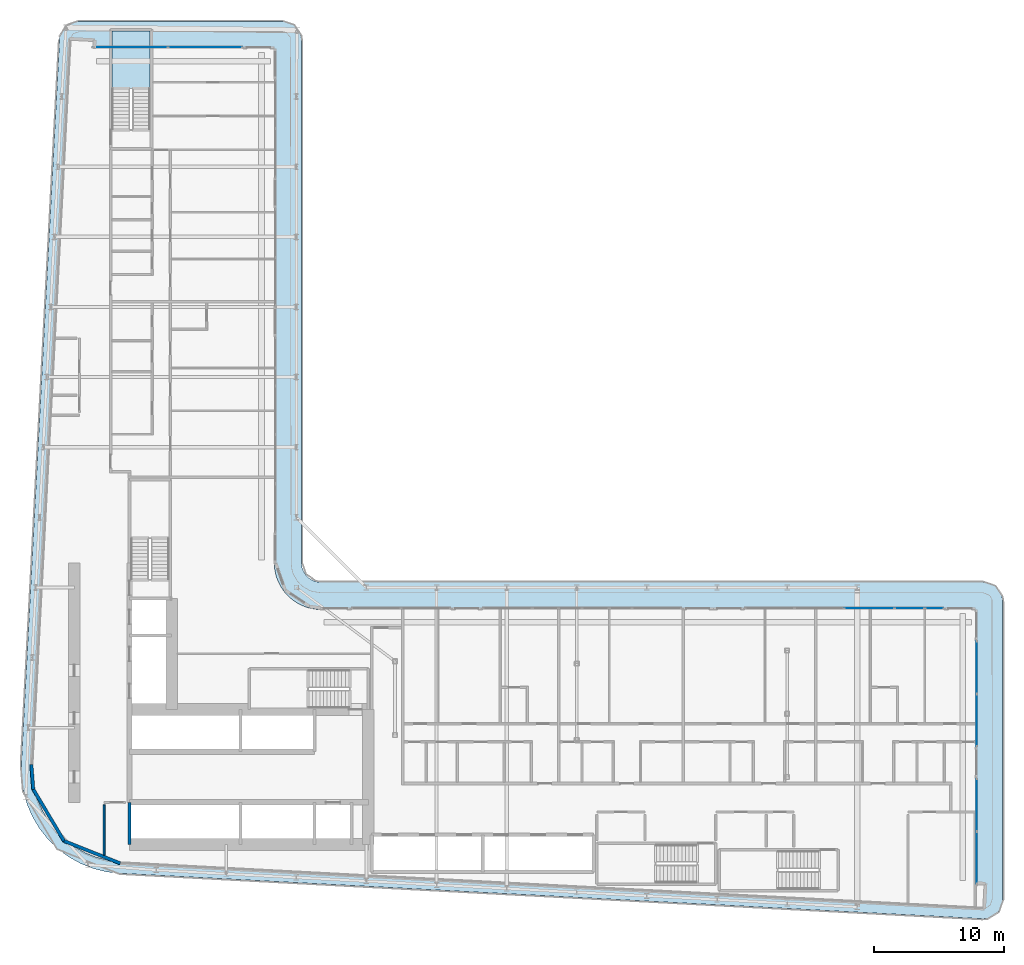
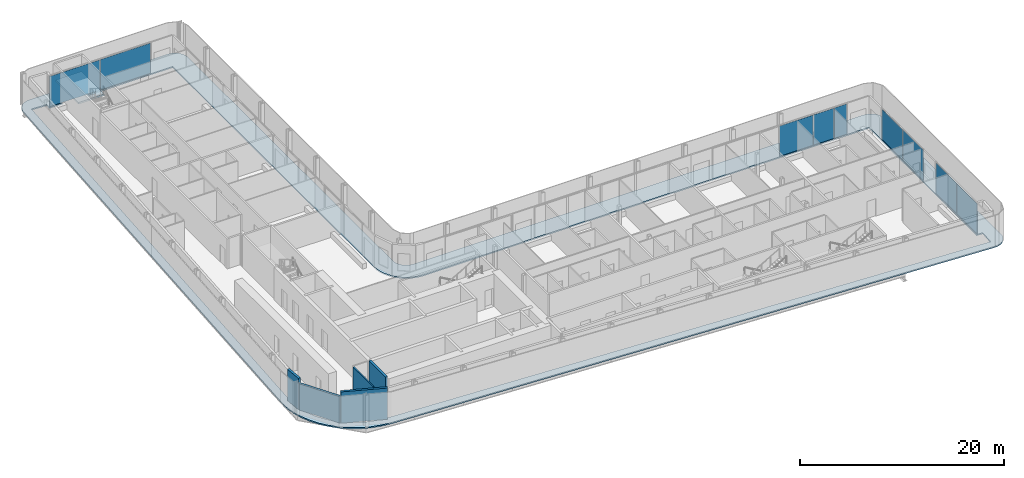
# One storey, part 12 of 27: 9 plates, 5 walls, 2 slabs, 5 elements without a shape of their own.
"""IFC4 building model written with IfcOpenShell, lengths in metres."""

from ifc_helpers import new_model, si_unit, direction, frame, frame_2d, origin, origin_2d, place, context, subcontext, project, spatial, polyline, rectangle, outline, extrude, material, layer, layer_set, type_object, element, aggregate, save


model = new_model("IFC4")

# Units and contexts
model_context = context("Model", 3, precision=1e-05, world=origin(), true_north=direction((0.0, 1.0)))
body_context = subcontext(model_context, "Body", "Model", "MODEL_VIEW")
ifc_project = project(units=[si_unit("LENGTHUNIT", "METRE"), si_unit("AREAUNIT", "SQUARE_METRE"), si_unit("VOLUMEUNIT", "CUBIC_METRE"), si_unit("PLANEANGLEUNIT", "RADIAN"), si_unit("MASSUNIT", "GRAM", prefix="KILO")], contexts=[model_context])

# Site, building, storey
site_placement = place(None, origin())
site = spatial("IfcSite", under=ifc_project, at=site_placement, CompositionType="ELEMENT")
building_placement = place(site_placement, origin())
building = spatial("IfcBuilding", under=site, at=building_placement, Name="Kheshtan School and Residences Tower", CompositionType="ELEMENT")
storey_placement = place(building_placement, frame((0.0, 0.0, 101.89990234375)))
storey = spatial("IfcBuildingStorey", under=building, at=storey_placement, Name="L23", CompositionType="ELEMENT", Elevation=101.89990234375)

# Curtain wall, plates
ifc_material_1 = material(Name="Clear low-e glass in thermally broken aluminium frame", Category="aluminium")
ifc_layer_1 = layer(ifc_material_1, 0.199951171875)
ifc_layer_set_1 = layer_set([ifc_layer_1], Name="Curtain wall CW-L")
curtain_wall_type = type_object("IfcCurtainWallType", Name="Curtain wall CW-L", PredefinedType="NOTDEFINED", material=ifc_layer_set_1)
curtain_wall_1_placement = place(storey_placement, origin())
curtain_wall_1 = element("IfcCurtainWall", 1, at=curtain_wall_1_placement, inside=storey, type_object=curtain_wall_type, Name="Curtain wall CWL3", PredefinedType="NOTDEFINED")
ifc_layer_2 = layer(ifc_material_1, 0.031982421875)
ifc_layer_set_2 = layer_set([ifc_layer_2], Name="CW-L glass panel")
plate_type = type_object("IfcPlateType", Name="CW-L glass panel", PredefinedType="CURTAIN_PANEL", material=ifc_layer_set_2)
plate_1_placement = place(storey_placement, frame((34.8330078125, 87.199951171875, 0.000244140625), z_axis=(0.0, 0.0, 1.0), x_axis=(1.0, 0.0, 0.0)))
plate_1 = element("IfcPlate", 2, at=plate_1_placement, type_object=plate_type, Name="CWL3 panel 1.1", PredefinedType="CURTAIN_PANEL", context=body_context, shape_type="SweptSolid", body=[
    extrude(rectangle(XDim=5.697998046875, YDim=0.031982421875, at=origin_2d()), origin(), (0.0, 0.0, 1.0), 3.6298828125),
])
plate_2_placement = place(storey_placement, frame((40.591064453125, 87.199951171875, 0.000244140625), z_axis=(0.0, 0.0, 1.0), x_axis=(1.0, 0.0, 0.0)))
plate_2 = element("IfcPlate", 3, at=plate_2_placement, type_object=plate_type, Name="CWL3 panel 2.1", PredefinedType="CURTAIN_PANEL", context=body_context, shape_type="SweptSolid", body=[
    extrude(rectangle(XDim=5.697998046875, YDim=0.031982421875, at=origin_2d()), origin(), (0.0, 0.0, 1.0), 3.6298828125),
])
aggregate(curtain_wall_1, [plate_1, plate_2])

curtain_wall_2_placement = place(storey_placement, origin())
curtain_wall_2 = element("IfcCurtainWall", 4, at=curtain_wall_2_placement, inside=storey, type_object=curtain_wall_type, Name="Curtain wall CWL8c", PredefinedType="NOTDEFINED")
plate_3_placement = place(storey_placement, frame((91.714599609375, 44.0, 0.000244140625), z_axis=(0.0, 0.0, 1.0), x_axis=(1.0, 0.0, 0.0)))
plate_3 = element("IfcPlate", 5, at=plate_3_placement, type_object=plate_type, Name="CWL8c panel 1.1", PredefinedType="CURTAIN_PANEL", context=body_context, shape_type="SweptSolid", body=[
    extrude(rectangle(XDim=3.81689453125, YDim=0.031982421875, at=origin_2d()), origin(), (0.0, 0.0, 1.0), 3.6298828125),
])
plate_4_placement = place(storey_placement, frame((94.826416015625, 44.0, 0.000244140625), z_axis=(0.0, 0.0, 1.0), x_axis=(1.0, 0.0, 0.0)))
plate_4 = element("IfcPlate", 6, at=plate_4_placement, type_object=plate_type, Name="CWL8c panel 2.1", PredefinedType="CURTAIN_PANEL", context=body_context, shape_type="SweptSolid", body=[
    extrude(rectangle(XDim=2.287109375, YDim=0.031982421875, at=origin_2d()), origin(), (0.0, 0.0, 1.0), 3.6298828125),
])
plate_5_placement = place(storey_placement, frame((96.735107421875, 44.0, 0.000244140625), z_axis=(0.0, 0.0, 1.0), x_axis=(1.0, 0.0, 0.0)))
plate_5 = element("IfcPlate", 7, at=plate_5_placement, type_object=plate_type, Name="CWL8c panel 3.1", PredefinedType="CURTAIN_PANEL", context=body_context, shape_type="SweptSolid", body=[
    extrude(rectangle(XDim=1.409912109375, YDim=0.031982421875, at=origin_2d()), origin(), (0.0, 0.0, 1.0), 3.6298828125),
])
aggregate(curtain_wall_2, [plate_3, plate_4, plate_5])

curtain_wall_3_placement = place(storey_placement, origin())
curtain_wall_3 = element("IfcCurtainWall", 8, at=curtain_wall_3_placement, inside=storey, type_object=curtain_wall_type, Name="Curtain wall CWL9", PredefinedType="NOTDEFINED")
plate_6_placement = place(storey_placement, frame((100.0, 39.436767578125, 0.000244140625), z_axis=(0.0, 0.0, 1.0), x_axis=(0.0, -1.0, 0.0)))
plate_6 = element("IfcPlate", 9, at=plate_6_placement, type_object=plate_type, Name="CWL9 panel 1.1", PredefinedType="CURTAIN_PANEL", context=body_context, shape_type="SweptSolid", body=[
    extrude(rectangle(XDim=4.006591796875, YDim=0.031982421875, at=origin_2d()), origin(), (0.0, 0.0, 1.0), 3.6298828125),
])
plate_7_placement = place(storey_placement, frame((100.0, 35.370361328125, 0.000244140625), z_axis=(0.0, 0.0, 1.0), x_axis=(0.0, -1.0, 0.0)))
plate_7 = element("IfcPlate", 10, at=plate_7_placement, type_object=plate_type, Name="CWL9 panel 2.1", PredefinedType="CURTAIN_PANEL", context=body_context, shape_type="SweptSolid", body=[
    extrude(rectangle(XDim=4.006591796875, YDim=0.031982421875, at=origin_2d()), origin(), (0.0, 0.0, 1.0), 3.6298828125),
])
aggregate(curtain_wall_3, [plate_6, plate_7])

curtain_wall_4_placement = place(storey_placement, origin())
curtain_wall_4 = element("IfcCurtainWall", 11, at=curtain_wall_4_placement, inside=storey, type_object=curtain_wall_type, Name="Curtain wall CWL9", PredefinedType="NOTDEFINED")
plate_8_placement = place(storey_placement, frame((100.0, 28.84375, 0.000244140625), z_axis=(0.0, 0.0, 1.0), x_axis=(0.0, -1.0, 0.0)))
plate_8 = element("IfcPlate", 12, at=plate_8_placement, type_object=plate_type, Name="CWL9 panel 1.1", PredefinedType="CURTAIN_PANEL", context=body_context, shape_type="SweptSolid", body=[
    extrude(rectangle(XDim=4.006591796875, YDim=0.031982421875, at=origin_2d()), origin(), (0.0, 0.0, 1.0), 3.6298828125),
])
plate_9_placement = place(storey_placement, frame((100.0, 24.77734375, 0.000244140625), z_axis=(0.0, 0.0, 1.0), x_axis=(0.0, -1.0, 0.0)))
plate_9 = element("IfcPlate", 13, at=plate_9_placement, type_object=plate_type, Name="CWL9 panel 2.1", PredefinedType="CURTAIN_PANEL", context=body_context, shape_type="SweptSolid", body=[
    extrude(rectangle(XDim=4.006591796875, YDim=0.031982421875, at=origin_2d()), origin(), (0.0, 0.0, 1.0), 3.6298828125),
])
aggregate(curtain_wall_4, [plate_8, plate_9])

# Slab
ifc_material_2 = material(Name="Concrete C40/50", Category="concrete")
ifc_layer_3 = layer(ifc_material_2, 0.14990234375)
ifc_layer_set_3 = layer_set([ifc_layer_3], Name="Loggia balcony slab 150 Concrete C40/50")
slab_type_1 = type_object("IfcSlabType", Name="Loggia balcony slab 150 Concrete C40/50", PredefinedType="FLOOR", material=ifc_layer_set_3)
slab_1_placement = place(storey_placement, frame((0.0, 0.0, -0.14990234375)))
element("IfcSlab", 14, at=slab_1_placement, inside=storey, type_object=slab_type_1, Name="Loggia balcony slab L23", PredefinedType="FLOOR", context=body_context, shape_type="SweptSolid", body=[
    extrude(outline(polyline([(28.4580078125, 26.222900390625), (28.45703125, 26.222900390625), (28.45703125, 26.22412109375), (28.4560546875, 26.22412109375), (27.81494140625, 27.0390625), (27.281005859375, 27.93798828125), (26.867919921875, 28.89990234375), (26.583984375, 29.89990234375), (26.583984375, 29.906982421875), (26.43408203125, 30.943115234375), (26.419921875, 31.989013671875), (29.35693359375, 87.779052734375), (29.363037109375, 87.826904296875), (29.363037109375, 87.827880859375), (29.362060546875, 87.827880859375), (29.362060546875, 87.8291015625), (29.361083984375, 87.8291015625), (29.361083984375, 87.830078125), (29.360107421875, 87.830078125), (29.360107421875, 87.8310546875), (29.35888671875, 87.8310546875), (29.35888671875, 87.83203125), (29.35888671875, 87.8330078125), (29.376953125, 87.98095703125), (29.376953125, 87.98388671875), (29.376953125, 87.985107421875), (29.3779296875, 87.985107421875), (29.3779296875, 87.986083984375), (29.37890625, 87.986083984375), (29.37890625, 87.987060546875), (29.3798828125, 87.987060546875), (29.381103515625, 87.987060546875), (29.381103515625, 87.988037109375), (29.382080078125, 87.988037109375), (29.382080078125, 87.989013671875), (29.382080078125, 87.990966796875), (29.43505859375, 88.18408203125), (29.514892578125, 88.375), (29.62109375, 88.552978515625), (29.742919921875, 88.70703125), (29.743896484375, 88.70703125), (29.743896484375, 88.7080078125), (29.7451171875, 88.7080078125), (29.7451171875, 88.708984375), (29.74609375, 88.708984375), (29.74609375, 88.7099609375), (29.7470703125, 88.7099609375), (29.7470703125, 88.7109375), (29.748046875, 88.7109375), (29.748046875, 88.7119140625), (29.7490234375, 88.7119140625), (29.7490234375, 88.712890625), (29.75, 88.712890625), (29.751953125, 88.712890625), (29.7529296875, 88.712890625), (29.7529296875, 88.714111328125), (29.89990234375, 88.85693359375), (29.90087890625, 88.85693359375), (29.90087890625, 88.85791015625), (29.902099609375, 88.85791015625), (29.902099609375, 88.85888671875), (29.903076171875, 88.85888671875), (29.903076171875, 88.860107421875), (29.904052734375, 88.860107421875), (29.904052734375, 88.861083984375), (29.905029296875, 88.861083984375), (29.905029296875, 88.862060546875), (29.906005859375, 88.862060546875), (29.906005859375, 88.863037109375), (29.906982421875, 88.863037109375), (29.906982421875, 88.864013671875), (30.068115234375, 88.97705078125), (30.2509765625, 89.072998046875), (30.43896484375, 89.14306640625), (30.446044921875, 89.14306640625), (30.64794921875, 89.18603515625), (30.85498046875, 89.199951171875), (46.5, 89.199951171875), (46.696044921875, 89.18701171875), (46.887939453125, 89.14892578125), (46.89501953125, 89.14892578125), (47.073974609375, 89.0859375), (47.243896484375, 89.0009765625), (47.2451171875, 89.0009765625), (47.2470703125, 89.0009765625), (47.248046875, 89.0009765625), (47.248046875, 89.001953125), (47.2490234375, 89.001953125), (47.2490234375, 89.0029296875), (47.25, 89.0029296875), (47.2529296875, 89.0029296875), (47.25390625, 89.0029296875), (47.25390625, 89.001953125), (47.2548828125, 89.001953125), (47.2548828125, 89.0009765625), (47.256103515625, 89.0009765625), (47.256103515625, 89.0), (47.257080078125, 89.0), (47.257080078125, 88.9990234375), (47.258056640625, 88.9990234375), (47.258056640625, 88.998046875), (47.412109375, 88.89599609375), (47.4130859375, 88.89599609375), (47.4130859375, 88.89501953125), (47.4140625, 88.89501953125), (47.4140625, 88.89404296875), (47.4140625, 88.889892578125), (47.4140625, 88.888916015625), (47.4150390625, 88.888916015625), (47.4150390625, 88.887939453125), (47.416015625, 88.887939453125), (47.416015625, 88.886962890625), (47.4169921875, 88.886962890625), (47.4169921875, 88.885986328125), (47.554931640625, 88.76806640625), (47.554931640625, 88.76708984375), (47.555908203125, 88.76708984375), (47.555908203125, 88.76611328125), (47.556884765625, 88.76611328125), (47.556884765625, 88.764892578125), (47.55810546875, 88.764892578125), (47.55810546875, 88.763916015625), (47.55908203125, 88.763916015625), (47.55908203125, 88.762939453125), (47.56005859375, 88.762939453125), (47.56005859375, 88.761962890625), (47.56103515625, 88.761962890625), (47.56201171875, 88.760986328125), (47.56201171875, 88.760009765625), (47.56298828125, 88.760009765625), (47.56298828125, 88.759033203125), (47.56396484375, 88.759033203125), (47.56396484375, 88.758056640625), (47.56494140625, 88.758056640625), (47.56494140625, 88.757080078125), (47.56591796875, 88.757080078125), (47.56591796875, 88.756103515625), (47.56689453125, 88.756103515625), (47.56689453125, 88.7548828125), (47.568115234375, 88.7548828125), (47.68505859375, 88.617919921875), (47.68603515625, 88.617919921875), (47.68603515625, 88.616943359375), (47.68701171875, 88.616943359375), (47.68701171875, 88.615966796875), (47.68798828125, 88.615966796875), (47.68798828125, 88.614990234375), (47.68896484375, 88.614990234375), (47.68896484375, 88.614013671875), (47.68994140625, 88.614013671875), (47.694091796875, 88.614013671875), (47.695068359375, 88.614013671875), (47.695068359375, 88.613037109375), (47.696044921875, 88.613037109375), (47.696044921875, 88.612060546875), (47.797119140625, 88.458984375), (47.798095703125, 88.458984375), (47.798095703125, 88.4580078125), (47.799072265625, 88.4580078125), (47.799072265625, 88.45703125), (47.800048828125, 88.45703125), (47.800048828125, 88.4560546875), (47.801025390625, 88.4560546875), (47.801025390625, 88.455078125), (47.802001953125, 88.455078125), (47.802001953125, 88.4541015625), (47.802978515625, 88.4541015625), (47.802978515625, 88.452880859375), (47.802978515625, 88.449951171875), (47.802978515625, 88.448974609375), (47.802001953125, 88.448974609375), (47.802001953125, 88.447998046875), (47.801025390625, 88.447998046875), (47.801025390625, 88.447021484375), (47.801025390625, 88.444091796875), (47.801025390625, 88.443115234375), (47.885986328125, 88.27392578125), (47.948974609375, 88.094970703125), (47.948974609375, 88.087890625), (47.987060546875, 87.89599609375), (48.0, 87.699951171875), (48.0, 47.5), (48.012939453125, 47.303955078125), (48.051025390625, 47.113037109375), (48.051025390625, 47.10693359375), (48.051025390625, 47.10595703125), (48.114013671875, 46.926025390625), (48.200927734375, 46.75), (48.31005859375, 46.5869140625), (48.431884765625, 46.444091796875), (48.43310546875, 46.444091796875), (48.43310546875, 46.443115234375), (48.43408203125, 46.443115234375), (48.43408203125, 46.44189453125), (48.43505859375, 46.44189453125), (48.43505859375, 46.44091796875), (48.43603515625, 46.44091796875), (48.43603515625, 46.43994140625), (48.43701171875, 46.43994140625), (48.43701171875, 46.43896484375), (48.43798828125, 46.43896484375), (48.43896484375, 46.43798828125), (48.43896484375, 46.43701171875), (48.43994140625, 46.43701171875), (48.43994140625, 46.43603515625), (48.44091796875, 46.43603515625), (48.44091796875, 46.43505859375), (48.44189453125, 46.43505859375), (48.44189453125, 46.43408203125), (48.443115234375, 46.43408203125), (48.443115234375, 46.43310546875), (48.444091796875, 46.43310546875), (48.444091796875, 46.431884765625), (48.5869140625, 46.31005859375), (48.75, 46.200927734375), (48.926025390625, 46.114013671875), (49.10595703125, 46.051025390625), (49.10693359375, 46.051025390625), (49.113037109375, 46.051025390625), (49.303955078125, 46.012939453125), (49.5, 46.0), (100.5, 46.0), (100.696044921875, 45.987060546875), (100.887939453125, 45.948974609375), (100.89501953125, 45.948974609375), (101.073974609375, 45.885986328125), (101.241943359375, 45.801025390625), (101.242919921875, 45.801025390625), (101.2470703125, 45.801025390625), (101.248046875, 45.801025390625), (101.248046875, 45.802001953125), (101.2490234375, 45.802001953125), (101.2490234375, 45.802978515625), (101.25, 45.802978515625), (101.2529296875, 45.802978515625), (101.25390625, 45.802978515625), (101.25390625, 45.802001953125), (101.2548828125, 45.802001953125), (101.2548828125, 45.801025390625), (101.256103515625, 45.801025390625), (101.256103515625, 45.800048828125), (101.257080078125, 45.800048828125), (101.257080078125, 45.799072265625), (101.258056640625, 45.799072265625), (101.258056640625, 45.798095703125), (101.259033203125, 45.798095703125), (101.259033203125, 45.797119140625), (101.260009765625, 45.797119140625), (101.260009765625, 45.7958984375), (101.412109375, 45.696044921875), (101.4130859375, 45.696044921875), (101.4130859375, 45.695068359375), (101.4140625, 45.695068359375), (101.4140625, 45.694091796875), (101.4140625, 45.68994140625), (101.4140625, 45.68896484375), (101.4150390625, 45.68896484375), (101.4150390625, 45.68798828125), (101.416015625, 45.68798828125), (101.416015625, 45.68701171875), (101.4169921875, 45.68701171875), (101.4169921875, 45.68603515625), (101.41796875, 45.68603515625), (101.41796875, 45.68505859375), (101.4189453125, 45.68505859375), (101.4189453125, 45.68408203125), (101.554931640625, 45.568115234375), (101.554931640625, 45.56689453125), (101.555908203125, 45.56689453125), (101.555908203125, 45.56591796875), (101.556884765625, 45.56591796875), (101.556884765625, 45.56494140625), (101.55810546875, 45.56494140625), (101.55810546875, 45.56396484375), (101.55908203125, 45.56396484375), (101.55908203125, 45.56298828125), (101.56005859375, 45.56298828125), (101.56005859375, 45.56201171875), (101.56103515625, 45.56201171875), (101.56201171875, 45.56103515625), (101.56201171875, 45.56005859375), (101.56298828125, 45.56005859375), (101.56298828125, 45.55908203125), (101.56396484375, 45.55908203125), (101.56396484375, 45.55810546875), (101.56494140625, 45.55810546875), (101.56494140625, 45.556884765625), (101.56591796875, 45.556884765625), (101.56591796875, 45.555908203125), (101.56689453125, 45.555908203125), (101.56689453125, 45.554931640625), (101.568115234375, 45.554931640625), (101.681884765625, 45.4208984375), (101.68310546875, 45.4208984375), (101.68310546875, 45.419921875), (101.68408203125, 45.419921875), (101.68408203125, 45.4189453125), (101.68505859375, 45.4189453125), (101.68505859375, 45.41796875), (101.68603515625, 45.41796875), (101.68603515625, 45.4169921875), (101.68701171875, 45.4169921875), (101.68701171875, 45.416015625), (101.68798828125, 45.416015625), (101.68798828125, 45.4150390625), (101.68896484375, 45.4150390625), (101.68896484375, 45.4140625), (101.68994140625, 45.4140625), (101.694091796875, 45.4140625), (101.695068359375, 45.4140625), (101.695068359375, 45.4130859375), (101.696044921875, 45.4130859375), (101.696044921875, 45.412109375), (101.7939453125, 45.261962890625), (101.794921875, 45.261962890625), (101.794921875, 45.260986328125), (101.7958984375, 45.260986328125), (101.7958984375, 45.260009765625), (101.797119140625, 45.260009765625), (101.797119140625, 45.259033203125), (101.798095703125, 45.259033203125), (101.798095703125, 45.258056640625), (101.799072265625, 45.258056640625), (101.799072265625, 45.257080078125), (101.800048828125, 45.257080078125), (101.800048828125, 45.256103515625), (101.801025390625, 45.256103515625), (101.801025390625, 45.2548828125), (101.802001953125, 45.2548828125), (101.802001953125, 45.25390625), (101.802978515625, 45.25390625), (101.802978515625, 45.2529296875), (101.802978515625, 45.25), (101.802978515625, 45.2490234375), (101.802001953125, 45.2490234375), (101.802001953125, 45.248046875), (101.801025390625, 45.248046875), (101.801025390625, 45.2470703125), (101.801025390625, 45.240966796875), (101.801025390625, 45.239990234375), (101.885986328125, 45.073974609375), (101.948974609375, 44.89501953125), (101.948974609375, 44.887939453125), (101.987060546875, 44.696044921875), (102.0, 44.5), (102.0, 21.5810546875), (101.986083984375, 21.37890625), (101.945068359375, 21.179931640625), (101.945068359375, 21.173095703125), (101.8779296875, 20.989013671875), (101.785888671875, 20.80810546875), (101.6708984375, 20.64306640625), (101.6708984375, 20.64208984375), (101.6708984375, 20.64111328125), (101.6708984375, 20.639892578125), (101.672119140625, 20.639892578125), (101.672119140625, 20.638916015625), (101.672119140625, 20.636962890625), (101.672119140625, 20.635986328125), (101.6708984375, 20.635986328125), (101.6708984375, 20.635009765625), (101.5380859375, 20.491943359375), (101.534912109375, 20.489013671875), (101.533935546875, 20.489013671875), (101.533935546875, 20.488037109375), (101.532958984375, 20.488037109375), (101.531005859375, 20.488037109375), (101.530029296875, 20.488037109375), (101.530029296875, 20.489013671875), (101.529052734375, 20.489013671875), (101.528076171875, 20.489013671875), (101.527099609375, 20.489013671875), (101.3759765625, 20.364013671875), (101.2041015625, 20.256103515625), (101.01904296875, 20.174072265625), (100.8310546875, 20.116943359375), (100.823974609375, 20.116943359375), (100.6240234375, 20.0859375), (100.4208984375, 20.0830078125), (33.989013671875, 23.580078125), (33.94189453125, 23.5859375), (33.94091796875, 23.5859375), (33.93994140625, 23.5859375), (33.93994140625, 23.5849609375), (33.93896484375, 23.5849609375), (33.93896484375, 23.583984375), (33.93798828125, 23.583984375), (33.93798828125, 23.5830078125), (33.93701171875, 23.5830078125), (33.93701171875, 23.58203125), (33.93603515625, 23.58203125), (33.93505859375, 23.58203125), (32.952880859375, 23.697998046875), (32.949951171875, 23.697998046875), (32.948974609375, 23.697998046875), (32.948974609375, 23.698974609375), (32.947998046875, 23.698974609375), (32.947998046875, 23.699951171875), (32.947021484375, 23.699951171875), (32.947021484375, 23.700927734375), (32.947021484375, 23.702880859375), (32.947021484375, 23.7041015625), (32.946044921875, 23.7041015625), (32.946044921875, 23.705078125), (32.945068359375, 23.705078125), (32.944091796875, 23.705078125), (31.93603515625, 23.9609375), (31.928955078125, 23.9609375), (30.964111328125, 24.34912109375), (30.051025390625, 24.860107421875), (29.218994140625, 25.47900390625), (29.218994140625, 25.47998046875), (29.218017578125, 25.47998046875), (29.218017578125, 25.48095703125), (29.217041015625, 25.48095703125), (29.217041015625, 25.48193359375), (29.216064453125, 25.48193359375), (29.216064453125, 25.48291015625), (29.215087890625, 25.48291015625), (29.215087890625, 25.48388671875), (29.214111328125, 25.48388671875), (29.214111328125, 25.485107421875), (29.212890625, 25.485107421875), (29.212890625, 25.486083984375), (29.2119140625, 25.486083984375), (28.466064453125, 26.217041015625), (28.466064453125, 26.218017578125), (28.465087890625, 26.218017578125), (28.462890625, 26.218017578125), (28.4619140625, 26.218017578125), (28.4619140625, 26.218994140625), (28.4609375, 26.218994140625), (28.4609375, 26.219970703125), (28.4599609375, 26.219970703125), (28.4599609375, 26.220947265625), (28.458984375, 26.220947265625), (28.458984375, 26.221923828125), (28.4580078125, 26.221923828125), (28.4580078125, 26.222900390625)]), holes=[polyline([(27.466064453125, 30.0869140625), (27.718017578125, 29.200927734375), (28.0849609375, 28.345947265625), (28.55908203125, 27.550048828125), (29.126953125, 26.825927734375), (29.1279296875, 26.825927734375), (29.1279296875, 26.824951171875), (29.12890625, 26.824951171875), (29.12890625, 26.823974609375), (29.1298828125, 26.823974609375), (29.1298828125, 26.822998046875), (29.131103515625, 26.822998046875), (29.131103515625, 26.822021484375), (29.132080078125, 26.822021484375), (29.132080078125, 26.821044921875), (29.133056640625, 26.821044921875), (29.133056640625, 26.820068359375), (29.134033203125, 26.820068359375), (29.7958984375, 26.173095703125), (29.7958984375, 26.172119140625), (29.797119140625, 26.172119140625), (29.798095703125, 26.172119140625), (29.799072265625, 26.172119140625), (29.799072265625, 26.1708984375), (29.800048828125, 26.1708984375), (29.800048828125, 26.169921875), (29.801025390625, 26.169921875), (29.801025390625, 26.1689453125), (29.802001953125, 26.1689453125), (29.802001953125, 26.16796875), (29.802978515625, 26.16796875), (29.802978515625, 26.1669921875), (29.803955078125, 26.1669921875), (29.803955078125, 26.166015625), (30.541015625, 25.616943359375), (31.35205078125, 25.1630859375), (32.208984375, 24.819091796875), (32.2099609375, 24.819091796875), (32.216064453125, 24.819091796875), (33.114990234375, 24.590087890625), (34.06591796875, 24.47705078125), (100.43798828125, 20.98291015625), (100.465087890625, 20.98388671875), (100.466064453125, 20.98388671875), (100.467041015625, 20.98388671875), (100.467041015625, 20.985107421875), (100.468017578125, 20.985107421875), (100.468017578125, 20.986083984375), (100.468017578125, 20.987060546875), (100.55810546875, 22.676025390625), (100.55810546875, 22.677001953125), (100.55810546875, 22.677978515625), (100.556884765625, 22.677978515625), (100.556884765625, 22.678955078125), (100.555908203125, 22.678955078125), (100.554931640625, 22.678955078125), (99.90087890625, 22.714111328125), (99.89990234375, 22.714111328125), (99.89990234375, 22.715087890625), (99.89990234375, 43.89794921875), (99.89990234375, 43.89892578125), (99.89892578125, 43.89892578125), (99.89892578125, 43.89990234375), (99.89794921875, 43.89990234375), (49.429931640625, 43.89990234375), (49.030029296875, 43.927001953125), (48.569091796875, 44.01806640625), (48.56201171875, 44.01806640625), (48.1201171875, 44.169921875), (47.697021484375, 44.37890625), (47.30810546875, 44.638916015625), (46.95703125, 44.944091796875), (46.95703125, 44.945068359375), (46.9560546875, 44.945068359375), (46.9560546875, 44.946044921875), (46.955078125, 44.946044921875), (46.955078125, 44.947021484375), (46.9541015625, 44.947021484375), (46.9541015625, 44.947998046875), (46.952880859375, 44.947998046875), (46.952880859375, 44.948974609375), (46.951904296875, 44.948974609375), (46.951904296875, 44.949951171875), (46.951904296875, 44.950927734375), (46.950927734375, 44.950927734375), (46.950927734375, 44.951904296875), (46.949951171875, 44.951904296875), (46.948974609375, 44.951904296875), (46.948974609375, 44.952880859375), (46.947998046875, 44.952880859375), (46.947998046875, 44.9541015625), (46.947021484375, 44.9541015625), (46.947021484375, 44.955078125), (46.946044921875, 44.955078125), (46.946044921875, 44.9560546875), (46.945068359375, 44.9560546875), (46.945068359375, 44.95703125), (46.944091796875, 44.95703125), (46.638916015625, 45.30810546875), (46.37890625, 45.697021484375), (46.169921875, 46.1201171875), (46.01806640625, 46.56201171875), (46.01806640625, 46.569091796875), (45.927001953125, 47.030029296875), (45.89990234375, 47.429931640625), (45.89990234375, 87.097900390625), (45.89990234375, 87.09912109375), (45.89892578125, 87.09912109375), (45.89892578125, 87.10009765625), (45.89794921875, 87.10009765625), (36.35009765625, 87.10009765625), (36.35009765625, 88.4599609375), (33.39990234375, 88.4599609375), (33.39990234375, 87.10009765625), (31.925048828125, 87.10009765625), (31.924072265625, 87.10009765625), (31.952880859375, 87.638916015625), (31.952880859375, 87.639892578125), (31.952880859375, 87.64111328125), (31.951904296875, 87.64111328125), (31.951904296875, 87.64208984375), (31.950927734375, 87.64208984375), (31.949951171875, 87.64208984375), (30.260986328125, 87.73193359375), (30.260009765625, 87.73193359375), (30.259033203125, 87.73193359375), (30.259033203125, 87.73095703125), (30.258056640625, 87.73095703125), (30.258056640625, 87.72998046875), (30.258056640625, 87.72900390625), (30.25390625, 87.700927734375), (27.320068359375, 31.970947265625), (27.3330078125, 31.013916015625), (27.466064453125, 30.093994140625), (27.466064453125, 30.087890625), (27.466064453125, 30.0869140625)])]), origin(), (0.0, 0.0, 1.0), 0.14990234375),
])

# Stair, slab
stair_type = type_object("IfcStairType", Name="Exit stair, half-turn", PredefinedType="HALF_TURN_STAIR", material=ifc_material_2)
stair_placement = place(storey_placement, origin())
stair = element("IfcStair", 15, at=stair_placement, inside=storey, type_object=stair_type, Name="L23 Protected Exit Stair ST3", PredefinedType="HALF_TURN_STAIR")
ifc_layer_4 = layer(ifc_material_2, 0.199951171875)
ifc_layer_set_4 = layer_set([ifc_layer_4], Name="Stair landing 200 Concrete C40/50")
slab_type_2 = type_object("IfcSlabType", Name="Stair landing 200 Concrete C40/50", PredefinedType="LANDING", material=ifc_layer_set_4)
slab_2_placement = place(storey_placement, frame((0.0, 0.0, 1.75)))
slab_2 = element("IfcSlab", 16, at=slab_2_placement, type_object=slab_type_2, Name="ST3 landing 1", PredefinedType="LANDING", context=body_context, shape_type="SweptSolid", body=[
    extrude(outline(polyline([(36.35009765625, 83.97998046875), (36.35009765625, 88.4599609375), (33.39990234375, 88.4599609375), (33.39990234375, 83.97998046875), (36.35009765625, 83.97998046875)])), origin(), (0.0, 0.0, 1.0), 0.2001953125),
])
aggregate(stair, [slab_2])

# Walls
ifc_material_3 = material(Name="Concrete C40/50 with ceramic cladding and mineral wool insulation", Category="concrete")
ifc_layer_5 = layer(ifc_material_3, 0.25)
ifc_layer_set_5 = layer_set([ifc_layer_5], Name="External wall 250 ceramic clad")
wall_type_1 = type_object("IfcWallType", Name="External wall 250 ceramic clad", PredefinedType="SOLIDWALL", material=ifc_layer_set_5)
wall_1_placement = place(storey_placement, frame((34.0390625, 24.35302734375, 0.0), z_axis=(0.0, 0.0, 1.0), x_axis=(-0.929352825399, 0.369192803184, 0.0)))
element("IfcWall", 17, at=wall_1_placement, inside=storey, type_object=wall_type_1, Name="External wall L23 13", PredefinedType="SOLIDWALL", context=body_context, shape_type="SweptSolid", body=[
    extrude(rectangle(XDim=4.656005859375, YDim=0.25, at=frame_2d((2.328125, 0.0))), origin(), (0.0, 0.0, 1.0), 3.75),
])
wall_2_placement = place(storey_placement, frame((29.7119140625, 26.072021484375, 0.0), z_axis=(0.0, 0.0, 1.0), x_axis=(-0.511028049012, 0.859564036662, 0.0)))
element("IfcWall", 18, at=wall_2_placement, inside=storey, type_object=wall_type_1, Name="External wall L23 14", PredefinedType="SOLIDWALL", context=body_context, shape_type="SweptSolid", body=[
    extrude(rectangle(XDim=4.633544921875, YDim=0.25, at=frame_2d((2.31689453125, 0.0))), origin(), (0.0, 0.0, 1.0), 3.147216796875),
])
wall_3_placement = place(storey_placement, frame((27.343994140625, 30.054931640625, 0.0), z_axis=(0.0, 0.0, 1.0), x_axis=(-0.077571675317, 0.99698677784, 0.0)))
element("IfcWall", 19, at=wall_3_placement, inside=storey, type_object=wall_type_1, Name="External wall L23 15", PredefinedType="SOLIDWALL", context=body_context, shape_type="SweptSolid", body=[
    extrude(rectangle(XDim=1.919921875, YDim=0.25, at=frame_2d((0.9599609375, 0.0))), origin(), (0.0, 0.0, 1.0), 3.75),
])
ifc_material_4 = material(Name="Fire-board shaft wall system")
ifc_layer_6 = layer(ifc_material_4, 0.14990234375)
ifc_layer_set_6 = layer_set([ifc_layer_6], Name="Service room wall 150")
wall_type_2 = type_object("IfcWallType", Name="Service room wall 150", PredefinedType="PARTITIONING", material=ifc_layer_set_6)
wall_4_placement = place(storey_placement, frame((32.804931640625, 24.97998046875, 0.0), z_axis=(0.0, 0.0, 1.0), x_axis=(0.0, 1.0, 0.0)))
element("IfcWall", 20, at=wall_4_placement, inside=storey, type_object=wall_type_2, Name="Service room wall", PredefinedType="PARTITIONING", context=body_context, shape_type="SweptSolid", body=[
    extrude(rectangle(XDim=3.875, YDim=0.14990234375, at=frame_2d((1.9375, 0.0))), origin(), (0.0, 0.0, 1.0), 3.900146484375),
])
ifc_layer_7 = layer(ifc_material_4, 0.25)
ifc_layer_set_7 = layer_set([ifc_layer_7], Name="Shaft lining wall 250")
wall_type_3 = type_object("IfcWallType", Name="Shaft lining wall 250", PredefinedType="PARTITIONING", material=ifc_layer_set_7)
wall_5_placement = place(storey_placement, frame((34.75, 25.800048828125, 0.0), z_axis=(0.0, 0.0, 1.0), x_axis=(0.0, 1.0, 0.0)))
element("IfcWall", 21, at=wall_5_placement, inside=storey, type_object=wall_type_3, Name="Shaft lining wall", PredefinedType="PARTITIONING", context=body_context, shape_type="SweptSolid", body=[
    extrude(rectangle(XDim=3.25, YDim=0.25, at=frame_2d((1.625, 0.0))), origin(), (0.0, 0.0, 1.0), 3.900146484375),
])

save(model, "model.ifc")
